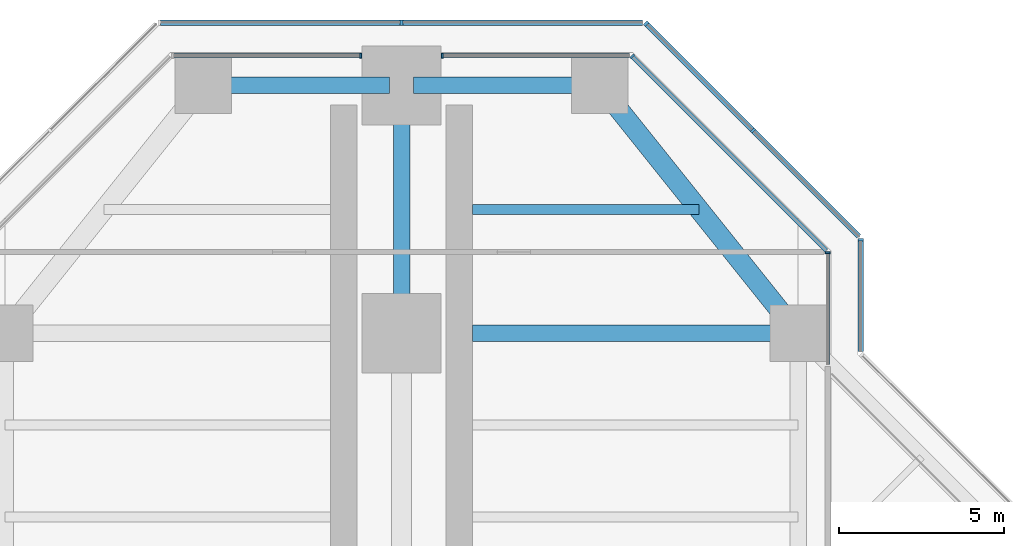
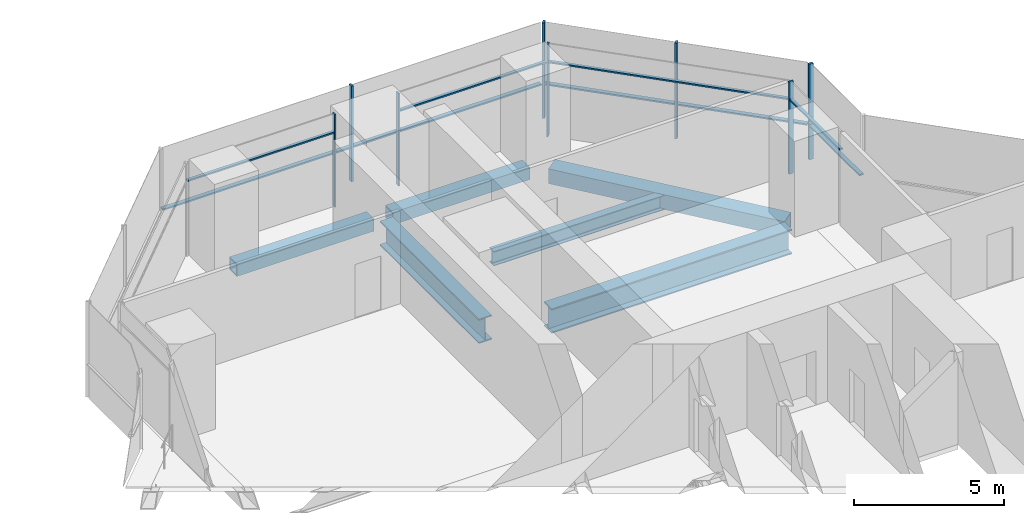
# One storey, part 10 of 19: 17 members, 6 beams, 7 elements without a shape of their own.
"""IFC4 building model written with IfcOpenShell, lengths in metres."""

from ifc_helpers import new_model, si_unit, direction, frame, origin, origin_2d, place, context, subcontext, project, spatial, rectangle, hollow_rectangle, i_section, extrude, material, material_profile, profile_set, type_object, element, aggregate, save


model = new_model("IFC4")

# Units and contexts
model_context = context("Model", 3, precision=1e-05, world=origin(), true_north=direction((0.0, 1.0)))
body_context = subcontext(model_context, "Body", "Model", "MODEL_VIEW")
ifc_project = project(units=[si_unit("LENGTHUNIT", "METRE"), si_unit("AREAUNIT", "SQUARE_METRE"), si_unit("VOLUMEUNIT", "CUBIC_METRE"), si_unit("PLANEANGLEUNIT", "RADIAN"), si_unit("MASSUNIT", "GRAM", prefix="KILO")], contexts=[model_context])

# Site, building, storey
site_placement = place(None, origin())
site = spatial("IfcSite", under=ifc_project, at=site_placement, CompositionType="ELEMENT")
building_placement = place(site_placement, origin())
building = spatial("IfcBuilding", under=site, at=building_placement, Name="Mizan Broadcast Tower", CompositionType="ELEMENT")
storey_placement = place(building_placement, frame((0.0, 0.0, 132.0)))
storey = spatial("IfcBuildingStorey", under=building, at=storey_placement, Name="L29", CompositionType="ELEMENT", Elevation=132.0)

# Beams
ifc_material_1 = material(Name="Steel S355", Category="steel")
ifc_material_profile_1 = material_profile(ifc_material_1, hollow_rectangle(XDim=0.5, YDim=0.5, WallThickness=0.030029296875, at=origin_2d()), Name="BOX 500x500x30")
ifc_profile_set_1 = profile_set([ifc_material_profile_1], Name="Steel S355")
beam_type_1 = type_object("IfcBeamType", Name="EDGE BEAM BOX 500x500x30", PredefinedType="SPANDREL", material=ifc_profile_set_1)
for number, where, z_axis, x_axis, name in (
    (1, (5.639892578125, 27.0, -0.3798828125), (-1.0, 0.0, 0.0), (0.0, -1.0, 0.0), "Edge beam BOX 500x500x30 L29 north arm"),
    (2, (-5.639892578125, 27.0, -0.3798828125), (1.0, 0.0, 0.0), (0.0, 1.0, 0.0), "Edge beam BOX 500x500x30 L29 north arm"),
):
    element("IfcBeam", number, at=place(storey_placement, frame(where, z_axis=z_axis, x_axis=x_axis)), inside=storey, type_object=beam_type_1, Name=name, PredefinedType="SPANDREL", context=body_context, shape_type="SweptSolid", body=[
        extrude(hollow_rectangle(XDim=0.5, YDim=0.5, WallThickness=0.030029296875, at=origin_2d()), origin(), (0.0, 0.0, 1.0), 5.27978515625),
    ])
ifc_material_2 = material(Name="Steel S355", Category="steel")
ifc_material_profile_2 = material_profile(ifc_material_2, hollow_rectangle(XDim=0.60009765625, YDim=0.60009765625, WallThickness=0.030029296875, at=origin_2d()), Name="BOX 600x600x30")
ifc_profile_set_2 = profile_set([ifc_material_profile_2], Name="Steel S355")
beam_type_2 = type_object("IfcBeamType", Name="EDGE BEAM BOX 600x600x30", PredefinedType="SPANDREL", material=ifc_profile_set_2)
beam_1_placement = place(storey_placement, frame((11.639892578125, 19.949951171875, -0.429931640625), z_axis=(-0.624673911726, 0.780885717636, 0.0), x_axis=(-0.780885717636, -0.624673911726, 0.0)))
element("IfcBeam", 3, at=beam_1_placement, inside=storey, type_object=beam_type_2, Name="Edge beam BOX 600x600x30 L29 north arm", PredefinedType="SPANDREL", context=body_context, shape_type="SweptSolid", body=[
    extrude(hollow_rectangle(XDim=0.60009765625, YDim=0.60009765625, WallThickness=0.030029296875, at=origin_2d()), origin(), (0.0, 0.0, 1.0), 8.4521484375),
])
ifc_material_3 = material(Name="Steel S460", Category="steel")
ifc_material_profile_3 = material_profile(ifc_material_3, i_section(OverallWidth=0.5, OverallDepth=1.0, WebThickness=0.02490234375, FlangeThickness=0.050048828125, at=origin_2d()), Name="WPG 1000x500")
ifc_profile_set_3 = profile_set([ifc_material_profile_3], Name="Steel S460")
beam_type_3 = type_object("IfcBeamType", Name="GIRDER WPG 1000x500", PredefinedType="BEAM", material=ifc_profile_set_3)
beam_2_placement = place(storey_placement, frame((0.0, 19.949951171875, -0.6298828125), z_axis=(0.0, 1.0, 0.0), x_axis=(-1.0, 0.0, 0.0)))
element("IfcBeam", 4, at=beam_2_placement, inside=storey, type_object=beam_type_3, Name="Girder WPG 1000x500 L29 north arm", PredefinedType="BEAM", context=body_context, shape_type="SweptSolid", body=[
    extrude(i_section(OverallWidth=0.5, OverallDepth=1.0, WebThickness=0.02490234375, FlangeThickness=0.050048828125, at=origin_2d()), origin(), (0.0, 0.0, 1.0), 6.60009765625),
])
beam_3_placement = place(storey_placement, frame((11.408935546875, 19.5, -0.6298828125), z_axis=(-1.0, 0.0, 0.0), x_axis=(0.0, -1.0, 0.0)))
element("IfcBeam", 5, at=beam_3_placement, inside=storey, type_object=beam_type_3, Name="Girder WPG 1000x500 L29 north arm", PredefinedType="BEAM", context=body_context, shape_type="SweptSolid", body=[
    extrude(i_section(OverallWidth=0.5, OverallDepth=1.0, WebThickness=0.02490234375, FlangeThickness=0.050048828125, at=origin_2d()), origin(), (0.0, 0.0, 1.0), 9.259033203125),
])

# Curtain wall, member
ifc_material_4 = material(Name="Aluminium framed glazing", Category="aluminium")
curtain_wall_type_1 = type_object("IfcCurtainWallType", Name="INNER SKIN MID ZONE", PredefinedType="USERDEFINED", material=ifc_material_4)
curtain_wall_1_placement = place(storey_placement, origin())
curtain_wall_1 = element("IfcCurtainWall", 6, at=curtain_wall_1_placement, inside=storey, type_object=curtain_wall_type_1, Name="Inner skin mid zone L29 N side", ObjectType="INNER SKIN MID ZONE", PredefinedType="USERDEFINED")
ifc_material_5 = material(Name="Aluminium, pale anodised", Category="aluminium")
ifc_material_profile_4 = material_profile(ifc_material_5, rectangle(XDim=0.159912109375, YDim=0.06005859375, at=origin_2d()), Name="MULLION 160x60")
ifc_profile_set_4 = profile_set([ifc_material_profile_4], Name="Aluminium, pale anodised")
member_type_1 = type_object("IfcMemberType", Name="INNER SKIN MULLION 60x160", PredefinedType="MULLION", material=ifc_profile_set_4)
member_1_placement = place(storey_placement, frame((12.89990234375, 21.928466796875, 0.0), z_axis=(0.0, 0.0, 1.0), x_axis=(-1.0, 0.0, 0.0)))
member_1 = element("IfcMember", 7, at=member_1_placement, type_object=member_type_1, Name="Inner skin mid zone L29 N side mullion 2", PredefinedType="MULLION", context=body_context, shape_type="SweptSolid", body=[
    extrude(rectangle(XDim=0.159912109375, YDim=0.06005859375, at=origin_2d()), origin(), (0.0, 0.0, 1.0), 3.77001953125),
])

curtain_wall_2_placement = place(storey_placement, origin())
curtain_wall_2 = element("IfcCurtainWall", 8, at=curtain_wall_2_placement, inside=storey, type_object=curtain_wall_type_1, Name="Inner skin mid zone L29 N chamfer", ObjectType="INNER SKIN MID ZONE", PredefinedType="USERDEFINED")
member_2_placement = place(storey_placement, frame((6.979736328125, 27.87890625, 0.0), z_axis=(0.0, 0.0, 1.0), x_axis=(-0.707106781187, -0.707106781187, 0.0)))
member_2 = element("IfcMember", 9, at=member_2_placement, type_object=member_type_1, Name="Inner skin mid zone L29 N chamfer mullion 2", PredefinedType="MULLION", context=body_context, shape_type="SweptSolid", body=[
    extrude(rectangle(XDim=0.159912109375, YDim=0.06005859375, at=origin_2d()), origin(), (0.0, 0.0, 1.0), 3.77001953125),
])

curtain_wall_3_placement = place(storey_placement, origin())
curtain_wall_3 = element("IfcCurtainWall", 10, at=curtain_wall_3_placement, inside=storey, type_object=curtain_wall_type_1, Name="Inner skin mid zone L29 N end", ObjectType="INNER SKIN MID ZONE", PredefinedType="USERDEFINED")
member_3_placement = place(storey_placement, frame((1.22998046875, 27.89990234375, 0.0), z_axis=(0.0, 0.0, 1.0), x_axis=(0.0, -1.0, 0.0)))
member_3 = element("IfcMember", 11, at=member_3_placement, type_object=member_type_1, Name="Inner skin mid zone L29 N end mullion 2", PredefinedType="MULLION", context=body_context, shape_type="SweptSolid", body=[
    extrude(rectangle(XDim=0.159912109375, YDim=0.06005859375, at=origin_2d()), origin(), (0.0, 0.0, 1.0), 3.77001953125),
])

curtain_wall_4_placement = place(storey_placement, origin())
curtain_wall_4 = element("IfcCurtainWall", 12, at=curtain_wall_4_placement, inside=storey, type_object=curtain_wall_type_1, Name="Inner skin mid zone L29 N end", ObjectType="INNER SKIN MID ZONE", PredefinedType="USERDEFINED")
member_4_placement = place(storey_placement, frame((-1.22998046875, 27.89990234375, 0.0), z_axis=(0.0, 0.0, 1.0), x_axis=(0.0, -1.0, 0.0)))
member_4 = element("IfcMember", 13, at=member_4_placement, type_object=member_type_1, Name="Inner skin mid zone L29 N end mullion 1", PredefinedType="MULLION", context=body_context, shape_type="SweptSolid", body=[
    extrude(rectangle(XDim=0.159912109375, YDim=0.06005859375, at=origin_2d()), origin(), (0.0, 0.0, 1.0), 3.77001953125),
])

# Member
ifc_material_6 = material(Name="Aluminium, pale anodised", Category="aluminium")
ifc_material_profile_5 = material_profile(ifc_material_6, rectangle(XDim=0.1201171875, YDim=0.06005859375, at=origin_2d()), Name="TRANSOM 120x60")
ifc_profile_set_5 = profile_set([ifc_material_profile_5], Name="Aluminium, pale anodised")
member_type_2 = type_object("IfcMemberType", Name="INNER SKIN TRANSOM 60x120", PredefinedType="USERDEFINED", material=ifc_profile_set_5)
member_5_placement = place(storey_placement, frame((12.89990234375, 18.56005859375, 3.030029296875), z_axis=(0.0, 1.0, 0.0), x_axis=(-1.0, 0.0, 0.0)))
member_5 = element("IfcMember", 14, at=member_5_placement, type_object=member_type_2, Name="Inner skin mid zone L29 N side transom 1.1", ObjectType="TRANSOM", PredefinedType="USERDEFINED", context=body_context, shape_type="SweptSolid", body=[
    extrude(rectangle(XDim=0.1201171875, YDim=0.06005859375, at=origin_2d()), origin(), (0.0, 0.0, 1.0), 3.338623046875),
])

aggregate(curtain_wall_1, [member_1, member_5])

member_6_placement = place(storey_placement, frame((12.857666015625, 22.0009765625, 3.030029296875), z_axis=(-0.707106781187, 0.707106781187, 0.0), x_axis=(-0.707106781187, -0.707106781187, 0.0)))
member_6 = element("IfcMember", 15, at=member_6_placement, type_object=member_type_2, Name="Inner skin mid zone L29 N chamfer transom 1.1", ObjectType="TRANSOM", PredefinedType="USERDEFINED", context=body_context, shape_type="SweptSolid", body=[
    extrude(rectangle(XDim=0.1201171875, YDim=0.06005859375, at=origin_2d()), origin(), (0.0, 0.0, 1.0), 8.28271484375),
])

aggregate(curtain_wall_2, [member_2, member_6])

member_7_placement = place(storey_placement, frame((6.898681640625, 27.89990234375, 3.030029296875), z_axis=(-1.0, 0.0, 0.0), x_axis=(0.0, -1.0, 0.0)))
member_7 = element("IfcMember", 16, at=member_7_placement, type_object=member_type_2, Name="Inner skin mid zone L29 N end transom 1.1", ObjectType="TRANSOM", PredefinedType="USERDEFINED", context=body_context, shape_type="SweptSolid", body=[
    extrude(rectangle(XDim=0.1201171875, YDim=0.06005859375, at=origin_2d()), origin(), (0.0, 0.0, 1.0), 5.638671875),
])

aggregate(curtain_wall_3, [member_3, member_7])

member_8_placement = place(storey_placement, frame((-1.260009765625, 27.89990234375, 3.030029296875), z_axis=(-1.0, 0.0, 0.0), x_axis=(0.0, -1.0, 0.0)))
member_8 = element("IfcMember", 17, at=member_8_placement, type_object=member_type_2, Name="Inner skin mid zone L29 N end transom 1.1", ObjectType="TRANSOM", PredefinedType="USERDEFINED", context=body_context, shape_type="SweptSolid", body=[
    extrude(rectangle(XDim=0.1201171875, YDim=0.06005859375, at=origin_2d()), origin(), (0.0, 0.0, 1.0), 5.638671875),
])

aggregate(curtain_wall_4, [member_4, member_8])

# Curtain wall, member
ifc_material_7 = material(Name="Aluminium framed glazing", Category="aluminium")
curtain_wall_type_2 = type_object("IfcCurtainWallType", Name="OUTER SKIN", PredefinedType="USERDEFINED", material=ifc_material_7)
curtain_wall_5_placement = place(storey_placement, origin())
curtain_wall_5 = element("IfcCurtainWall", 18, at=curtain_wall_5_placement, inside=storey, type_object=curtain_wall_type_2, Name="Outer skin L29 N side", ObjectType="OUTER SKIN", PredefinedType="USERDEFINED")
ifc_material_8 = material(Name="Aluminium, pale anodised", Category="aluminium")
ifc_material_profile_6 = material_profile(ifc_material_8, rectangle(XDim=0.159912109375, YDim=0.080078125, at=origin_2d()), Name="MULLION 160x80")
ifc_profile_set_6 = profile_set([ifc_material_profile_6], Name="Aluminium, pale anodised")
member_type_3 = type_object("IfcMemberType", Name="OUTER SKIN MULLION 80x160", PredefinedType="MULLION", material=ifc_profile_set_6)
member_9_placement = place(storey_placement, frame((13.89990234375, 22.332763671875, 0.0), z_axis=(0.0, 0.0, 1.0), x_axis=(-1.0, 0.0, 0.0)))
member_9 = element("IfcMember", 19, at=member_9_placement, type_object=member_type_3, Name="Outer skin L29 N side mullion 2", PredefinedType="MULLION", context=body_context, shape_type="SweptSolid", body=[
    extrude(rectangle(XDim=0.159912109375, YDim=0.080078125, at=origin_2d()), origin(), (0.0, 0.0, 1.0), 3.89990234375),
])

# Curtain wall, members
curtain_wall_6_placement = place(storey_placement, origin())
curtain_wall_6 = element("IfcCurtainWall", 20, at=curtain_wall_6_placement, inside=storey, type_object=curtain_wall_type_2, Name="Outer skin L29 N chamfer", ObjectType="OUTER SKIN", PredefinedType="USERDEFINED")
member_10_placement = place(storey_placement, frame((10.636474609375, 25.636474609375, 0.0), z_axis=(0.0, 0.0, 1.0), x_axis=(-0.707106781187, -0.707106781187, 0.0)))
member_10 = element("IfcMember", 21, at=member_10_placement, type_object=member_type_3, Name="Outer skin L29 N chamfer mullion 2", PredefinedType="MULLION", context=body_context, shape_type="SweptSolid", body=[
    extrude(rectangle(XDim=0.159912109375, YDim=0.080078125, at=origin_2d()), origin(), (0.0, 0.0, 1.0), 3.89990234375),
])
member_11_placement = place(storey_placement, frame((7.401123046875, 28.871826171875, 0.0), z_axis=(0.0, 0.0, 1.0), x_axis=(-0.707106781187, -0.707106781187, 0.0)))
member_11 = element("IfcMember", 22, at=member_11_placement, type_object=member_type_3, Name="Outer skin L29 N chamfer mullion 3", PredefinedType="MULLION", context=body_context, shape_type="SweptSolid", body=[
    extrude(rectangle(XDim=0.159912109375, YDim=0.080078125, at=origin_2d()), origin(), (0.0, 0.0, 1.0), 3.89990234375),
])

# Curtain wall, member
curtain_wall_7_placement = place(storey_placement, origin())
curtain_wall_7 = element("IfcCurtainWall", 23, at=curtain_wall_7_placement, inside=storey, type_object=curtain_wall_type_2, Name="Outer skin L29 N end", ObjectType="OUTER SKIN", PredefinedType="USERDEFINED")
member_12_placement = place(storey_placement, frame((0.0, 28.89990234375, 0.0), z_axis=(0.0, 0.0, 1.0), x_axis=(0.0, -1.0, 0.0)))
member_12 = element("IfcMember", 24, at=member_12_placement, type_object=member_type_3, Name="Outer skin L29 N end mullion 2", PredefinedType="MULLION", context=body_context, shape_type="SweptSolid", body=[
    extrude(rectangle(XDim=0.159912109375, YDim=0.080078125, at=origin_2d()), origin(), (0.0, 0.0, 1.0), 3.89990234375),
])

# Member
ifc_material_9 = material(Name="Aluminium, pale anodised", Category="aluminium")
ifc_material_profile_7 = material_profile(ifc_material_9, rectangle(XDim=0.159912109375, YDim=0.06005859375, at=origin_2d()), Name="TRANSOM 160x60")
ifc_profile_set_7 = profile_set([ifc_material_profile_7], Name="Aluminium, pale anodised")
member_type_4 = type_object("IfcMemberType", Name="OUTER SKIN TRANSOM 60x160", PredefinedType="USERDEFINED", material=ifc_profile_set_7)
member_13_placement = place(storey_placement, frame((13.89990234375, 18.952880859375, 1.39990234375), z_axis=(0.0, 1.0, 0.0), x_axis=(-1.0, 0.0, 0.0)))
member_13 = element("IfcMember", 25, at=member_13_placement, type_object=member_type_4, Name="Outer skin L29 N side transom 1.1", ObjectType="TRANSOM", PredefinedType="USERDEFINED", context=body_context, shape_type="SweptSolid", body=[
    extrude(rectangle(XDim=0.159912109375, YDim=0.06005859375, at=origin_2d()), origin(), (0.0, 0.0, 1.0), 3.33984375),
])

aggregate(curtain_wall_5, [member_9, member_13])

member_14_placement = place(storey_placement, frame((13.843505859375, 22.429443359375, 1.39990234375), z_axis=(-0.707106781187, 0.707106781187, 0.0), x_axis=(-0.707106781187, -0.707106781187, 0.0)))
member_14 = element("IfcMember", 26, at=member_14_placement, type_object=member_type_4, Name="Outer skin L29 N chamfer transom 1.1", ObjectType="TRANSOM", PredefinedType="USERDEFINED", context=body_context, shape_type="SweptSolid", body=[
    extrude(rectangle(XDim=0.159912109375, YDim=0.06005859375, at=origin_2d()), origin(), (0.0, 0.0, 1.0), 4.495361328125),
])

member_15_placement = place(storey_placement, frame((10.608154296875, 25.664794921875, 1.39990234375), z_axis=(-0.707106781187, 0.707106781187, 0.0), x_axis=(-0.707106781187, -0.707106781187, 0.0)))
member_15 = element("IfcMember", 27, at=member_15_placement, type_object=member_type_4, Name="Outer skin L29 N chamfer transom 2.1", ObjectType="TRANSOM", PredefinedType="USERDEFINED", context=body_context, shape_type="SweptSolid", body=[
    extrude(rectangle(XDim=0.159912109375, YDim=0.06005859375, at=origin_2d()), origin(), (0.0, 0.0, 1.0), 4.495361328125),
])

aggregate(curtain_wall_6, [member_10, member_11, member_14, member_15])

member_16_placement = place(storey_placement, frame((7.292724609375, 28.89990234375, 1.39990234375), z_axis=(-1.0, 0.0, 0.0), x_axis=(0.0, -1.0, 0.0)))
member_16 = element("IfcMember", 28, at=member_16_placement, type_object=member_type_4, Name="Outer skin L29 N end transom 1.1", ObjectType="TRANSOM", PredefinedType="USERDEFINED", context=body_context, shape_type="SweptSolid", body=[
    extrude(rectangle(XDim=0.159912109375, YDim=0.06005859375, at=origin_2d()), origin(), (0.0, 0.0, 1.0), 7.252685546875),
])

member_17_placement = place(storey_placement, frame((-0.0400390625, 28.89990234375, 1.39990234375), z_axis=(-1.0, 0.0, 0.0), x_axis=(0.0, -1.0, 0.0)))
member_17 = element("IfcMember", 29, at=member_17_placement, type_object=member_type_4, Name="Outer skin L29 N end transom 2.1", ObjectType="TRANSOM", PredefinedType="USERDEFINED", context=body_context, shape_type="SweptSolid", body=[
    extrude(rectangle(XDim=0.159912109375, YDim=0.06005859375, at=origin_2d()), origin(), (0.0, 0.0, 1.0), 7.252685546875),
])

aggregate(curtain_wall_7, [member_12, member_16, member_17])

# Beam
ifc_material_10 = material(Name="Steel S355", Category="steel")
ifc_material_profile_8 = material_profile(ifc_material_10, i_section(OverallWidth=0.300048828125, OverallDepth=0.590087890625, WebThickness=0.012939453125, FlangeThickness=0.02490234375, FilletRadius=0.027099609375, at=origin_2d()), Name="HEA 600")
ifc_profile_set_8 = profile_set([ifc_material_profile_8], Name="Steel S355")
beam_type_4 = type_object("IfcBeamType", Name="SECONDARY BEAM HEA 600", PredefinedType="JOIST", material=ifc_profile_set_8)
beam_4_placement = place(storey_placement, frame((9.0, 23.25, -0.425048828125), z_axis=(-1.0, 0.0, 0.0), x_axis=(0.0, -1.0, 0.0)))
element("IfcBeam", 30, at=beam_4_placement, inside=storey, type_object=beam_type_4, Name="Secondary beam HEA 600 L29 north arm", PredefinedType="JOIST", context=body_context, shape_type="SweptSolid", body=[
    extrude(i_section(OverallWidth=0.300048828125, OverallDepth=0.590087890625, WebThickness=0.012939453125, FlangeThickness=0.02490234375, FilletRadius=0.027099609375, at=origin_2d()), origin(), (0.0, 0.0, 1.0), 6.85009765625),
])

save(model, "model.ifc")
